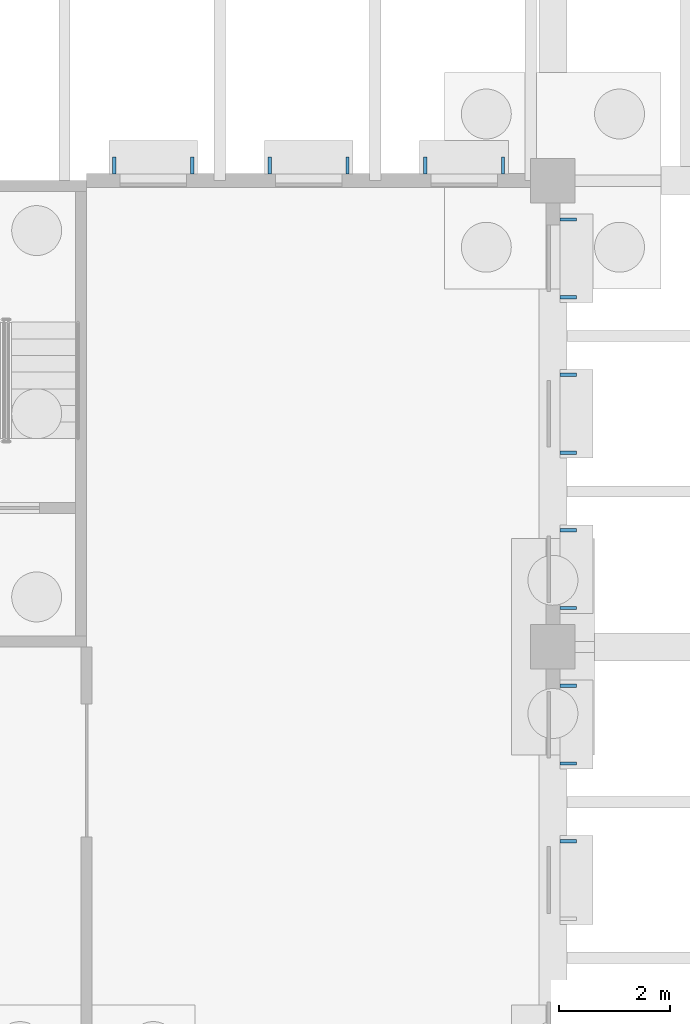
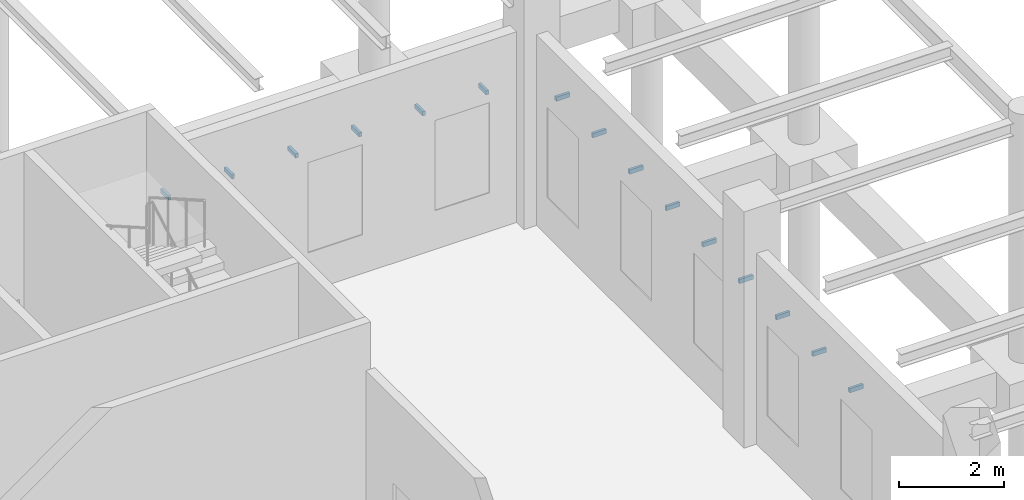
# One storey, part 54 of 82: 15 discrete accessories.
"""IFC4 building model written with IfcOpenShell, lengths in metres."""

from ifc_helpers import new_model, si_unit, direction, frame, origin, origin_2d, place, context, subcontext, project, spatial, rectangle, extrude, material, type_object, element, save


model = new_model("IFC4")

# Units and contexts
model_context = context("Model", 3, precision=1e-05, world=origin(), true_north=direction((0.0, 1.0)))
body_context = subcontext(model_context, "Body", "Model", "MODEL_VIEW")
ifc_project = project(units=[si_unit("LENGTHUNIT", "METRE"), si_unit("AREAUNIT", "SQUARE_METRE"), si_unit("VOLUMEUNIT", "CUBIC_METRE"), si_unit("PLANEANGLEUNIT", "RADIAN"), si_unit("MASSUNIT", "GRAM", prefix="KILO")], contexts=[model_context])

# Site, building, storey
site_placement = place(None, origin())
site = spatial("IfcSite", under=ifc_project, at=site_placement, CompositionType="ELEMENT")
building_placement = place(site_placement, origin())
building = spatial("IfcBuilding", under=site, at=building_placement, Name="Almond Square Museum", CompositionType="ELEMENT")
storey_placement = place(building_placement, origin())
storey = spatial("IfcBuildingStorey", under=building, at=storey_placement, Name="L00", CompositionType="ELEMENT", Elevation=0.0)

# Discrete accessories
ifc_material = material(Name="Stainless steel", Category="steel")
discrete_accessory_type = type_object("IfcDiscreteAccessoryType", Name="Sun-shade blade bracket", PredefinedType="BRACKET", material=ifc_material)
for number, where, z_axis, x_axis, name in (
    (1, (157.472900390625, 97.300048828125, 2.9970703125), (0.0, 0.0, 1.0), (1.0, 0.0, 0.0), "Bracket sun-shade blade"),
    (2, (157.472900390625, 98.699951171875, 2.9970703125), (0.0, 0.0, 1.0), (1.0, 0.0, 0.0), "Bracket sun-shade blade"),
    (3, (157.472900390625, 100.10009765625, 2.9970703125), (0.0, 0.0, 1.0), (1.0, 0.0, 0.0), "Bracket sun-shade blade"),
    (4, (157.472900390625, 101.5, 2.9970703125), (0.0, 0.0, 1.0), (1.0, 0.0, 0.0), "Bracket sun-shade blade"),
    (5, (157.472900390625, 102.89990234375, 2.9970703125), (0.0, 0.0, 1.0), (1.0, 0.0, 0.0), "Bracket sun-shade blade"),
    (6, (157.472900390625, 104.300048828125, 2.9970703125), (0.0, 0.0, 1.0), (1.0, 0.0, 0.0), "Bracket sun-shade blade"),
    (7, (157.472900390625, 105.699951171875, 2.9970703125), (0.0, 0.0, 1.0), (1.0, 0.0, 0.0), "Bracket sun-shade blade"),
    (8, (157.472900390625, 107.10009765625, 2.9970703125), (0.0, 0.0, 1.0), (1.0, 0.0, 0.0), "Bracket sun-shade blade"),
    (9, (157.472900390625, 108.5, 2.9970703125), (0.0, 0.0, 1.0), (1.0, 0.0, 0.0), "Bracket sun-shade blade"),
):
    element("IfcDiscreteAccessory", number, at=place(storey_placement, frame(where, z_axis=z_axis, x_axis=x_axis)), inside=storey, type_object=discrete_accessory_type, Name=name, PredefinedType="BRACKET", context=body_context, shape_type="SweptSolid", body=[
        extrude(rectangle(XDim=0.300048828125, YDim=0.06005859375, at=origin_2d()), origin(), (0.0, 0.0, 1.0), 0.10009765625),
    ])
for number, where, z_axis, x_axis, name in (
    (10, (149.300048828125, 109.472900390625, 2.9970703125), (0.0, 0.0, 1.0), (1.0, 0.0, 0.0), "Bracket sun-shade blade"),
    (11, (150.699951171875, 109.472900390625, 2.9970703125), (0.0, 0.0, 1.0), (1.0, 0.0, 0.0), "Bracket sun-shade blade"),
    (12, (152.10009765625, 109.472900390625, 2.9970703125), (0.0, 0.0, 1.0), (1.0, 0.0, 0.0), "Bracket sun-shade blade"),
    (13, (153.5, 109.472900390625, 2.9970703125), (0.0, 0.0, 1.0), (1.0, 0.0, 0.0), "Bracket sun-shade blade"),
    (14, (154.89990234375, 109.472900390625, 2.9970703125), (0.0, 0.0, 1.0), (1.0, 0.0, 0.0), "Bracket sun-shade blade"),
    (15, (156.300048828125, 109.472900390625, 2.9970703125), (0.0, 0.0, 1.0), (1.0, 0.0, 0.0), "Bracket sun-shade blade"),
):
    element("IfcDiscreteAccessory", number, at=place(storey_placement, frame(where, z_axis=z_axis, x_axis=x_axis)), inside=storey, type_object=discrete_accessory_type, Name=name, PredefinedType="BRACKET", context=body_context, shape_type="SweptSolid", body=[
        extrude(rectangle(XDim=0.06005859375, YDim=0.300048828125, at=origin_2d()), origin(), (0.0, 0.0, 1.0), 0.10009765625),
    ])

save(model, "model.ifc")
